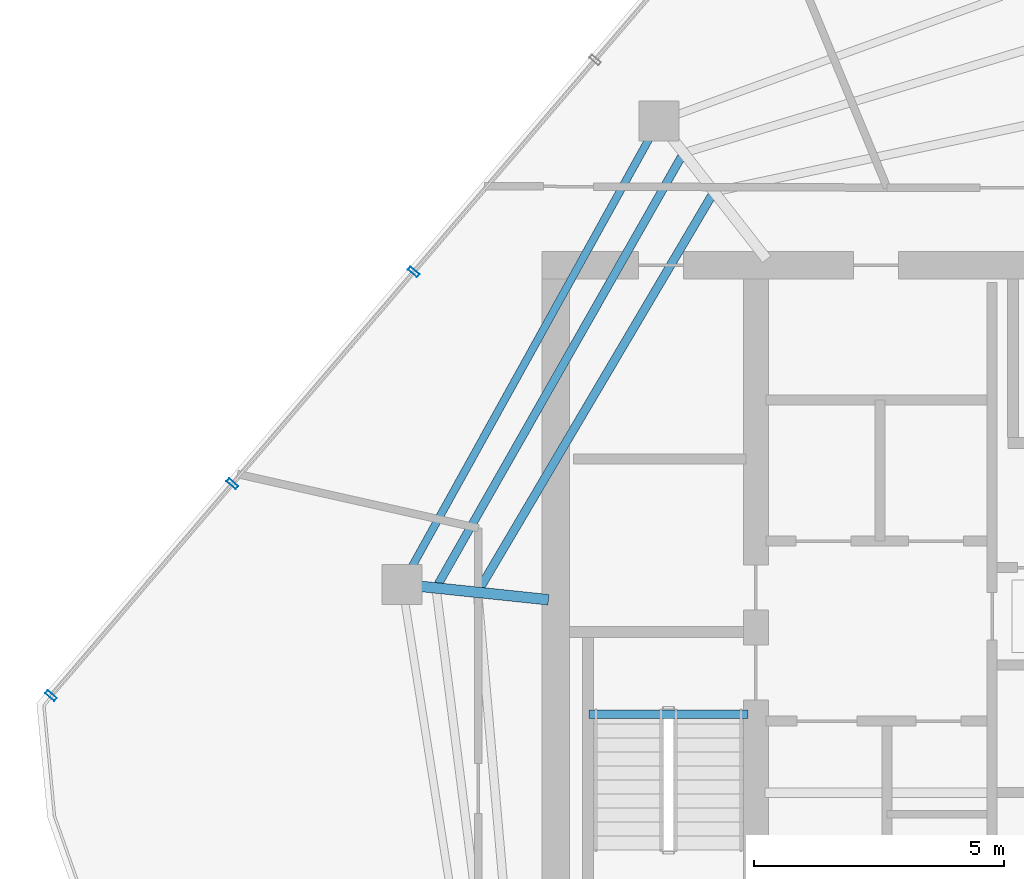
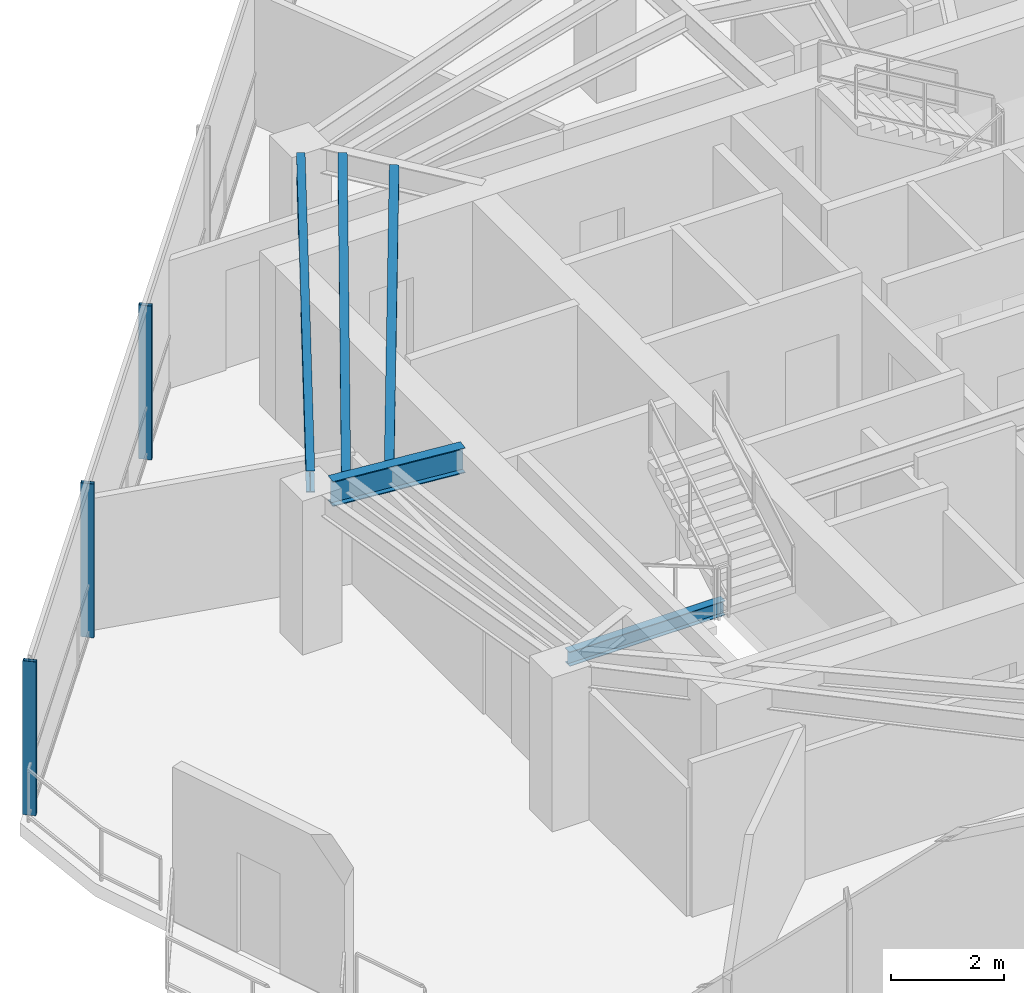
# One storey, part 6 of 18: 5 beams, 3 members, 1 element without a shape of its own.
"""IFC4 building model written with IfcOpenShell, lengths in metres."""

from ifc_helpers import new_model, si_unit, direction, frame, origin, origin_2d, place, context, subcontext, project, spatial, hollow_rectangle, i_section, extrude, material, layer, layer_set, material_profile, profile_set, type_object, element, aggregate, save


model = new_model("IFC4")

# Units and contexts
model_context = context("Model", 3, precision=1e-05, world=origin(), true_north=direction((0.0, 1.0)))
body_context = subcontext(model_context, "Body", "Model", "MODEL_VIEW")
ifc_project = project(units=[si_unit("LENGTHUNIT", "METRE"), si_unit("AREAUNIT", "SQUARE_METRE"), si_unit("VOLUMEUNIT", "CUBIC_METRE"), si_unit("PLANEANGLEUNIT", "RADIAN"), si_unit("MASSUNIT", "GRAM", prefix="KILO")], contexts=[model_context])

# Site, building, storey
site_placement = place(None, origin())
site = spatial("IfcSite", under=ifc_project, at=site_placement, CompositionType="ELEMENT")
building_placement = place(site_placement, origin())
building = spatial("IfcBuilding", under=site, at=building_placement, Name="Qarnah Convention Tower", CompositionType="ELEMENT")
storey_placement = place(building_placement, frame((0.0, 0.0, 253.5)))
storey = spatial("IfcBuildingStorey", under=building, at=storey_placement, Name="L68", CompositionType="ELEMENT", Elevation=253.5)

# Beams
ifc_material_1 = material(Name="Structural steel S355JR", Category="steel")
ifc_material_profile_1 = material_profile(ifc_material_1, i_section(OverallWidth=0.166015625, OverallDepth=0.31201171875, WebThickness=0.007080078125, FlangeThickness=0.010986328125, at=origin_2d()), Name="W310X45")
ifc_profile_set_1 = profile_set([ifc_material_profile_1], Name="Structural steel S355JR")
beam_type_1 = type_object("IfcBeamType", Name="BM-JST-W310", PredefinedType="JOIST", material=ifc_profile_set_1)
beam_1_placement = place(storey_placement, frame((27.4599609375, 25.217041015625, -0.156005859375), z_axis=(1.0, 0.0, 0.0), x_axis=(0.0, 1.0, 0.0)))
element("IfcBeam", 1, at=beam_1_placement, inside=storey, type_object=beam_type_1, Name="L68 stair landing trimmer beam BM-L68-ST1-TRM", PredefinedType="BEAM", context=body_context, shape_type="SweptSolid", body=[
    extrude(i_section(OverallWidth=0.166015625, OverallDepth=0.31201171875, WebThickness=0.007080078125, FlangeThickness=0.010986328125, at=origin_2d()), origin(), (0.0, 0.0, 1.0), 3.179931640625),
])
beam_2_placement = place(storey_placement, frame((29.30810546875, 36.366943359375, 3.1640625), z_axis=(-0.494589589693, -0.869126652317, 0.0), x_axis=(0.869126652317, -0.494589589693, 0.0)))
element("IfcBeam", 2, at=beam_2_placement, inside=storey, type_object=beam_type_1, Name="L68 joist BM-L68-SJST-04", PredefinedType="JOIST", context=body_context, shape_type="SweptSolid", body=[
    extrude(i_section(OverallWidth=0.166015625, OverallDepth=0.31201171875, WebThickness=0.007080078125, FlangeThickness=0.010986328125, at=origin_2d()), origin(), (0.0, 0.0, 1.0), 9.83056640625),
])
ifc_material_profile_2 = material_profile(ifc_material_1, i_section(OverallWidth=0.172119140625, OverallDepth=0.35595703125, WebThickness=0.007080078125, FlangeThickness=0.011962890625, at=origin_2d()), Name="W360X51")
ifc_profile_set_2 = profile_set([ifc_material_profile_2], Name="Structural steel S355JR")
beam_type_2 = type_object("IfcBeamType", Name="BM-JST-W360", PredefinedType="JOIST", material=ifc_profile_set_2)
beam_3_placement = place(storey_placement, frame((29.9140625, 35.590087890625, 3.14208984375), z_axis=(-0.508401010796, -0.861120440021, 0.0), x_axis=(0.861120440021, -0.508401010796, 0.0)))
element("IfcBeam", 3, at=beam_3_placement, inside=storey, type_object=beam_type_2, Name="L68 joist BM-L68-IJST-04", PredefinedType="JOIST", context=body_context, shape_type="SweptSolid", body=[
    extrude(i_section(OverallWidth=0.172119140625, OverallDepth=0.35595703125, WebThickness=0.007080078125, FlangeThickness=0.011962890625, at=origin_2d()), origin(), (0.0, 0.0, 1.0), 9.12060546875),
])
ifc_material_profile_3 = material_profile(ifc_material_1, i_section(OverallWidth=0.2119140625, OverallDepth=0.5400390625, WebThickness=0.011962890625, FlangeThickness=0.01904296875, at=origin_2d()), Name="W530X109")
ifc_profile_set_3 = profile_set([ifc_material_profile_3], Name="Structural steel S355JR")
beam_type_3 = type_object("IfcBeamType", Name="BM-RAD-W530A", PredefinedType="BEAM", material=ifc_profile_set_3)
beam_4_placement = place(storey_placement, frame((26.65087890625, 27.509033203125, 3.050048828125), z_axis=(-0.994564280912, 0.104124402207, 0.0), x_axis=(-0.104124402207, -0.994564280912, 0.0)))
element("IfcBeam", 4, at=beam_4_placement, inside=storey, type_object=beam_type_3, Name="L68 beam BM-L68-RAD-05", PredefinedType="BEAM", context=body_context, shape_type="SweptSolid", body=[
    extrude(i_section(OverallWidth=0.2119140625, OverallDepth=0.5400390625, WebThickness=0.011962890625, FlangeThickness=0.01904296875, at=origin_2d()), origin(), (0.0, 0.0, 1.0), 2.562744140625),
])
ifc_material_profile_4 = material_profile(ifc_material_1, i_section(OverallWidth=0.154052734375, OverallDepth=0.4599609375, WebThickness=0.009033203125, FlangeThickness=0.014892578125, at=origin_2d()), Name="W460X68")
ifc_profile_set_4 = profile_set([ifc_material_profile_4], Name="Structural steel S355JR")
beam_type_4 = type_object("IfcBeamType", Name="BM-SPN-W460B", PredefinedType="SPANDREL", material=ifc_profile_set_4)
beam_5_placement = place(storey_placement, frame((28.6689453125, 36.737060546875, 3.090087890625), z_axis=(-0.48479748752, -0.87462643231, 0.0), x_axis=(0.87462643231, -0.48479748752, 0.0)))
element("IfcBeam", 5, at=beam_5_placement, inside=storey, type_object=beam_type_4, Name="L68 spandrel BM-L68-SPN-04", PredefinedType="SPANDREL", context=body_context, shape_type="SweptSolid", body=[
    extrude(i_section(OverallWidth=0.154052734375, OverallDepth=0.4599609375, WebThickness=0.009033203125, FlangeThickness=0.014892578125, at=origin_2d()), origin(), (0.0, 0.0, 1.0), 9.81005859375),
])

# Curtain wall, members
ifc_material_2 = material(Name="Tempered Low-E dark glass", Category="glass")
ifc_layer = layer(ifc_material_2, 0.176025390625)
ifc_layer_set = layer_set([ifc_layer], Name="Tempered Low-E dark glass")
curtain_wall_type = type_object("IfcCurtainWallType", Name="CWS-05", PredefinedType="NOTDEFINED", material=ifc_layer_set)
curtain_wall_placement = place(storey_placement, origin())
curtain_wall = element("IfcCurtainWall", 6, at=curtain_wall_placement, inside=storey, type_object=curtain_wall_type, Name="L68 unitised curtain wall CW-L68-F1", PredefinedType="NOTDEFINED")
ifc_material_3 = material(Name="Black anodised aluminium", Category="aluminium")
ifc_material_profile_5 = material_profile(ifc_material_3, hollow_rectangle(XDim=0.080078125, YDim=0.239990234375, WallThickness=0.0048828125, at=origin_2d()), Name="MUL-80X240")
ifc_profile_set_5 = profile_set([ifc_material_profile_5], Name="Black anodised aluminium")
member_type = type_object("IfcMemberType", Name="MUL-T5", PredefinedType="MULLION", material=ifc_profile_set_5)
member_1_placement = place(storey_placement, frame((16.701904296875, 25.590087890625, 0.0), z_axis=(0.0, 0.0, 1.0), x_axis=(0.650247859177, 0.759722134491, 0.0)))
member_1 = element("IfcMember", 7, at=member_1_placement, type_object=member_type, Name="CW-L68-F1 mullion 1", PredefinedType="MULLION", context=body_context, shape_type="SweptSolid", body=[
    extrude(hollow_rectangle(XDim=0.080078125, YDim=0.239990234375, WallThickness=0.0048828125, at=origin_2d()), origin(), (0.0, 0.0, 1.0), 3.320068359375),
])
member_2_placement = place(storey_placement, frame((20.328857421875, 29.827392578125, 0.0), z_axis=(0.0, 0.0, 1.0), x_axis=(0.650247859177, 0.759722134491, 0.0)))
member_2 = element("IfcMember", 8, at=member_2_placement, type_object=member_type, Name="CW-L68-F1 mullion 2", PredefinedType="MULLION", context=body_context, shape_type="SweptSolid", body=[
    extrude(hollow_rectangle(XDim=0.080078125, YDim=0.239990234375, WallThickness=0.0048828125, at=origin_2d()), origin(), (0.0, 0.0, 1.0), 3.320068359375),
])
member_3_placement = place(storey_placement, frame((23.95556640625, 34.064697265625, 0.0), z_axis=(0.0, 0.0, 1.0), x_axis=(0.650247859177, 0.759722134491, 0.0)))
member_3 = element("IfcMember", 9, at=member_3_placement, type_object=member_type, Name="CW-L68-F1 mullion 3", PredefinedType="MULLION", context=body_context, shape_type="SweptSolid", body=[
    extrude(hollow_rectangle(XDim=0.080078125, YDim=0.239990234375, WallThickness=0.0048828125, at=origin_2d()), origin(), (0.0, 0.0, 1.0), 3.320068359375),
])
aggregate(curtain_wall, [member_1, member_2, member_3])

save(model, "model.ifc")
